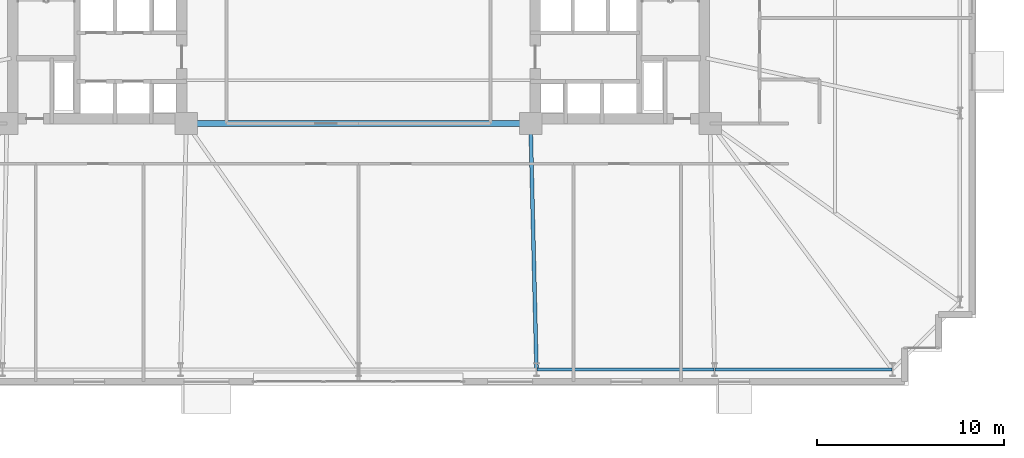
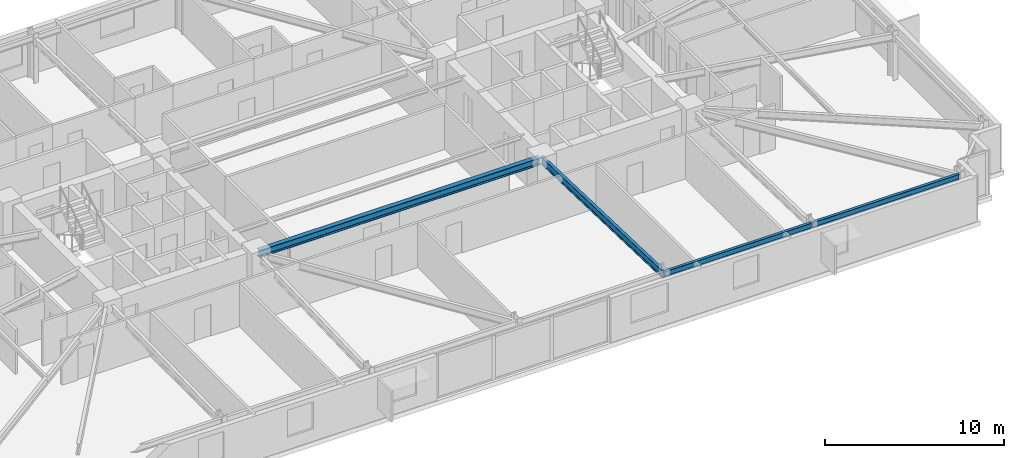
# One storey, part 9 of 24: 4 beams.
"""IFC4 building model written with IfcOpenShell, lengths in metres."""

from ifc_helpers import new_model, si_unit, direction, frame, origin, origin_2d, place, context, subcontext, project, spatial, i_section, extrude, material, material_profile, profile_set, type_object, element, save


model = new_model("IFC4")

# Units and contexts
model_context = context("Model", 3, precision=1e-05, world=origin(), true_north=direction((0.0, 1.0)))
body_context = subcontext(model_context, "Body", "Model", "MODEL_VIEW")
ifc_project = project(units=[si_unit("LENGTHUNIT", "METRE"), si_unit("AREAUNIT", "SQUARE_METRE"), si_unit("VOLUMEUNIT", "CUBIC_METRE"), si_unit("PLANEANGLEUNIT", "RADIAN"), si_unit("MASSUNIT", "GRAM", prefix="KILO")], contexts=[model_context])

# Site, building, storey
site_placement = place(None, origin())
site = spatial("IfcSite", under=ifc_project, at=site_placement, CompositionType="ELEMENT")
building_placement = place(site_placement, origin())
building = spatial("IfcBuilding", under=site, at=building_placement, Name="Qobustan Lattice House", CompositionType="ELEMENT")
storey_placement = place(building_placement, frame((0.0, 0.0, 43.75)))
storey = spatial("IfcBuildingStorey", under=building, at=storey_placement, Name="L11", CompositionType="ELEMENT", Elevation=43.75)

# Beams
ifc_material_1 = material(Name="Steel S355", Category="steel")
ifc_material_profile_1 = material_profile(ifc_material_1, i_section(OverallWidth=0.300048828125, OverallDepth=0.5, WebThickness=0.014404296875, FlangeThickness=0.028076171875, FilletRadius=0.027099609375, at=origin_2d()), Name="HEB500")
ifc_profile_set_1 = profile_set([ifc_material_profile_1], Name="Steel S355")
beam_type_1 = type_object("IfcBeamType", Name="BM-CG-HEB500", PredefinedType="USERDEFINED", material=ifc_profile_set_1)
beam_1_placement = place(storey_placement, frame((-9.050048828125, -5.60009765625, 2.784912109375), z_axis=(1.0, 0.0, 0.0), x_axis=(0.0, 1.0, 0.0)))
element("IfcBeam", 1, at=beam_1_placement, inside=storey, type_object=beam_type_1, Name="L11 core spine girder CG-CS", ObjectType="GIRDER", PredefinedType="USERDEFINED", context=body_context, shape_type="SweptSolid", body=[
    extrude(i_section(OverallWidth=0.300048828125, OverallDepth=0.5, WebThickness=0.014404296875, FlangeThickness=0.028076171875, FilletRadius=0.027099609375, at=origin_2d()), origin(), (0.0, 0.0, 1.0), 18.10009765625),
])
ifc_material_2 = material(Name="Steel S355", Category="steel")
ifc_material_profile_2 = material_profile(ifc_material_2, i_section(OverallWidth=0.199951171875, OverallDepth=0.5, WebThickness=0.01025390625, FlangeThickness=0.01611328125, FilletRadius=0.02099609375, at=origin_2d()), Name="IPE500")
ifc_profile_set_2 = profile_set([ifc_material_profile_2], Name="Steel S355")
beam_type_2 = type_object("IfcBeamType", Name="BM-FLG-IPE500", PredefinedType="USERDEFINED", material=ifc_profile_set_2)
beam_2_placement = place(storey_placement, frame((9.51611328125, -18.72509765625, 2.784912109375), z_axis=(-0.024071445657, 0.999710240772, 0.0), x_axis=(-0.999710240772, -0.024071445657, 0.0)))
element("IfcBeam", 2, at=beam_2_placement, inside=storey, type_object=beam_type_2, Name="L11 primary floor girder RAD-S5", ObjectType="GIRDER", PredefinedType="USERDEFINED", context=body_context, shape_type="SweptSolid", body=[
    extrude(i_section(OverallWidth=0.199951171875, OverallDepth=0.5, WebThickness=0.01025390625, FlangeThickness=0.01611328125, FilletRadius=0.02099609375, at=origin_2d()), origin(), (0.0, 0.0, 1.0), 13.10400390625),
])
ifc_material_3 = material(Name="Steel S355", Category="steel")
ifc_material_profile_3 = material_profile(ifc_material_3, i_section(OverallWidth=0.179931640625, OverallDepth=0.39990234375, WebThickness=0.008544921875, FlangeThickness=0.013427734375, FilletRadius=0.02099609375, at=origin_2d()), Name="IPE400")
ifc_profile_set_3 = profile_set([ifc_material_profile_3], Name="Steel S355")
beam_type_3 = type_object("IfcBeamType", Name="BM-SPD-IPE400", PredefinedType="SPANDREL", material=ifc_profile_set_3)
for number, where, z_axis, x_axis, name in (
    (3, (9.541748046875, -18.75, 2.8349609375), (1.0, 0.0, 0.0), (0.0, 1.0, 0.0), "L11 perimeter spandrel S5-S6"),
    (4, (19.058349609375, -18.75, 2.8349609375), (1.0, 0.0, 0.0), (0.0, 1.0, 0.0), "L11 perimeter spandrel S6-S7"),
):
    element("IfcBeam", number, at=place(storey_placement, frame(where, z_axis=z_axis, x_axis=x_axis)), inside=storey, type_object=beam_type_3, Name=name, PredefinedType="SPANDREL", context=body_context, shape_type="SweptSolid", body=[
        extrude(i_section(OverallWidth=0.179931640625, OverallDepth=0.39990234375, WebThickness=0.008544921875, FlangeThickness=0.013427734375, FilletRadius=0.02099609375, at=origin_2d()), origin(), (0.0, 0.0, 1.0), 9.466552734375),
    ])

save(model, "model.ifc")
